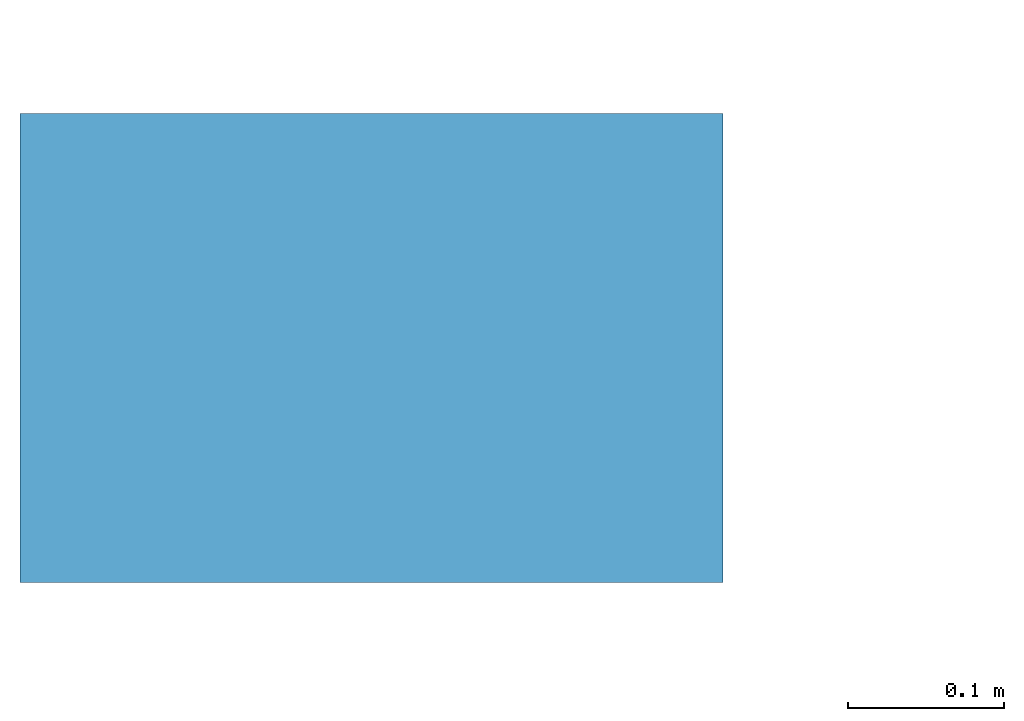
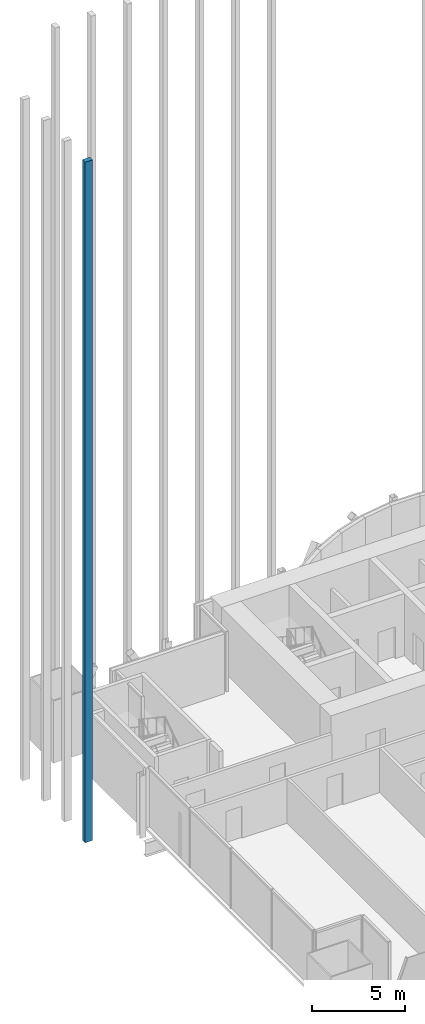
# One storey, part 8 of 33: 1 member, 1 element without a shape of its own.
"""IFC4 building model written with IfcOpenShell, lengths in metres."""

from ifc_helpers import new_model, si_unit, direction, frame, origin, origin_2d, place, context, subcontext, project, spatial, rectangle, extrude, material, material_profile, profile_set, type_object, element, aggregate, save


model = new_model("IFC4")

# Units and contexts
model_context = context("Model", 3, precision=1e-05, world=origin(), true_north=direction((0.0, 1.0)))
body_context = subcontext(model_context, "Body", "Model", "MODEL_VIEW")
ifc_project = project(units=[si_unit("LENGTHUNIT", "METRE"), si_unit("AREAUNIT", "SQUARE_METRE"), si_unit("VOLUMEUNIT", "CUBIC_METRE"), si_unit("PLANEANGLEUNIT", "RADIAN"), si_unit("MASSUNIT", "GRAM", prefix="KILO")], contexts=[model_context])

# Site, building, storey
site_placement = place(None, origin())
site = spatial("IfcSite", under=ifc_project, at=site_placement, CompositionType="ELEMENT")
building_placement = place(site_placement, origin())
building = spatial("IfcBuilding", under=site, at=building_placement, Name="Bicima Exchange Tower", CompositionType="ELEMENT")
storey_placement = place(building_placement, frame((0.0, 0.0, 140.39990234375)))
storey = spatial("IfcBuildingStorey", under=building, at=storey_placement, Name="L30", CompositionType="ELEMENT", Elevation=140.39990234375)

# Curtain wall, member
ifc_material = material(Name="Anodised bronze aluminium", Category="aluminium")
curtain_wall_type = type_object("IfcCurtainWallType", Name="Rear blade screen", PredefinedType="NOTDEFINED", material=ifc_material)
curtain_wall_placement = place(storey_placement, origin())
curtain_wall = element("IfcCurtainWall", 1, at=curtain_wall_placement, inside=storey, type_object=curtain_wall_type, Name="End blade screen L30-L40", PredefinedType="NOTDEFINED")
ifc_material_profile = material_profile(ifc_material, rectangle(XDim=0.449951171875, YDim=0.300048828125, at=origin_2d()))
ifc_profile_set = profile_set([ifc_material_profile], Name="Anodised bronze aluminium")
member_type = type_object("IfcMemberType", Name="Rear blade fin 450 x 300", PredefinedType="USERDEFINED", material=ifc_profile_set)
member_placement = place(storey_placement, frame((-36.324951171875, -11.5, 0.0), z_axis=(0.0, 0.0, 1.0), x_axis=(1.0, 0.0, 0.0)))
member = element("IfcMember", 2, at=member_placement, type_object=member_type, Name="End blade fin L30-L40 1", ObjectType="FIN", PredefinedType="USERDEFINED", context=body_context, shape_type="SweptSolid", body=[
    extrude(rectangle(XDim=0.449951171875, YDim=0.300048828125, at=origin_2d()), origin(), (0.0, 0.0, 1.0), 44.900146484375),
])
aggregate(curtain_wall, [member])

save(model, "model.ifc")
